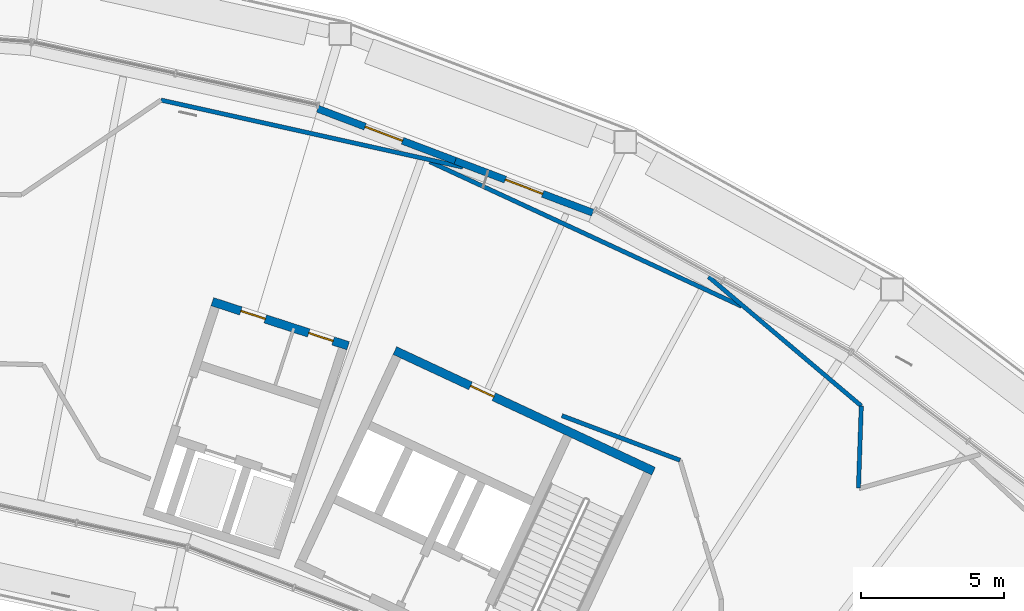
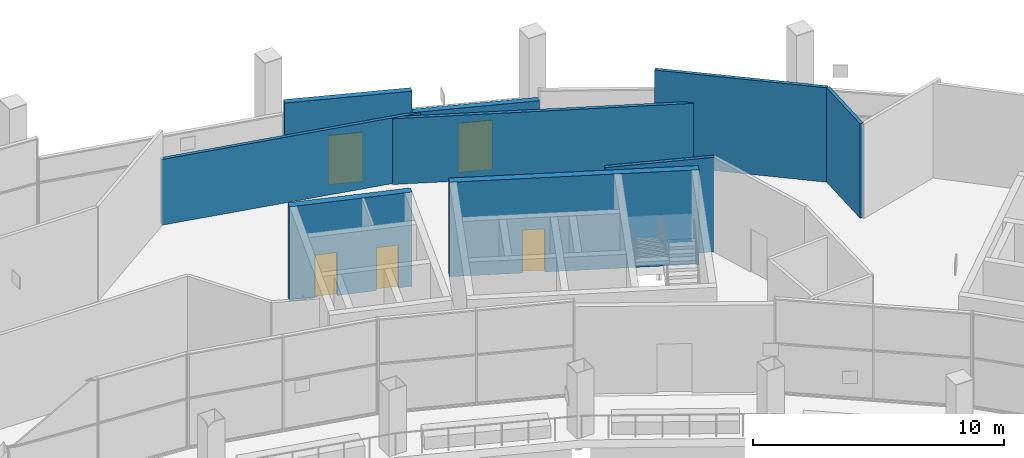
# One storey, part 19 of 29: 9 walls, 5 doors, 5 openings.
"""IFC4 building model written with IfcOpenShell, lengths in metres."""

from ifc_helpers import new_model, si_unit, direction, frame, frame_2d, origin, place, context, subcontext, project, spatial, rectangle, extrude, material, layer, layer_set, type_object, element, fill, save


model = new_model("IFC4")

# Units and contexts
model_context = context("Model", 3, precision=1e-05, world=origin(), true_north=direction((0.0, 1.0)))
body_context = subcontext(model_context, "Body", "Model", "MODEL_VIEW")
ifc_project = project(units=[si_unit("LENGTHUNIT", "METRE"), si_unit("AREAUNIT", "SQUARE_METRE"), si_unit("VOLUMEUNIT", "CUBIC_METRE"), si_unit("PLANEANGLEUNIT", "RADIAN"), si_unit("MASSUNIT", "GRAM", prefix="KILO")], contexts=[model_context])

# Site, building, storey
site_placement = place(None, origin())
site = spatial("IfcSite", under=ifc_project, at=site_placement, CompositionType="ELEMENT")
building_placement = place(site_placement, origin())
building = spatial("IfcBuilding", under=site, at=building_placement, Name="Tuul Gate Civic Tower", CompositionType="ELEMENT")
storey_placement = place(building_placement, frame((0.0, 0.0, 238.89990234375)))
storey = spatial("IfcBuildingStorey", under=building, at=storey_placement, Name="Sky garden level 2", CompositionType="ELEMENT", Elevation=238.89990234375)

# Wall, opening, door
ifc_material_1 = material(Name="Concrete C50/60", Category="concrete")
ifc_layer_1 = layer(ifc_material_1, 0.300048828125)
ifc_layer_set_1 = layer_set([ifc_layer_1], Name="Concrete C50/60")
wall_type_1 = type_object("IfcWallType", Name="Core wall C50/60", PredefinedType="SHEAR", material=ifc_layer_set_1)
wall_1_placement = place(storey_placement, frame((37.993408203125, 0.181884765625, 0.0), z_axis=(0.0, 0.0, 1.0), x_axis=(-0.906310338845, 0.422612789327, 0.0)))
wall_1 = element("IfcWall", 1, at=wall_1_placement, inside=storey, type_object=wall_type_1, Name="Core wall", PredefinedType="SHEAR", context=body_context, shape_type="SweptSolid", body=[
    extrude(rectangle(XDim=9.999755859375, YDim=0.300048828125, at=frame_2d((5.0, 0.0))), origin(), (0.0, 0.0, 1.0), 4.60009765625),
])
opening_1_placement = place(wall_1_placement, frame((6.175048828125, 0.0, 0.0)))
opening_1 = element("IfcOpeningElement", 2, at=opening_1_placement, cuts=wall_1, Name="Opening T-D13", PredefinedType="OPENING", context=body_context, shape_type="SweptSolid", body=[
    extrude(rectangle(XDim=0.89990234375, YDim=2.10009765625, at=frame_2d((0.449951171875, 1.050048828125))), frame((0.0, 0.16015625, 0.0), z_axis=(0.0, -1.0, 0.0), x_axis=(1.0, 0.0, 0.0)), (0.0, 0.0, 1.0), 0.320068359375),
])
ifc_material_2 = material(Name="Timber door leaf", Category="wood")
door_type_1 = type_object("IfcDoorType", Name="Door D09", OperationType="NOTDEFINED", PredefinedType="DOOR", material=ifc_material_2)
door_1_placement = place(opening_1_placement, origin())
door_1 = element("IfcDoor", 3, at=door_1_placement, inside=storey, type_object=door_type_1, Name="Door T-D13", OperationType="SINGLE_SWING_LEFT", OverallHeight=2.10009765625, OverallWidth=0.89990234375, PredefinedType="DOOR", context=body_context, shape_type="SweptSolid", body=[
    extrude(rectangle(XDim=0.89990234375, YDim=2.10009765625, at=frame_2d((0.449951171875, 1.050048828125))), frame((0.0, 0.02490234375, 0.0), z_axis=(0.0, -1.0, 0.0), x_axis=(1.0, 0.0, 0.0)), (0.0, 0.0, 1.0), 0.050048828125),
])
fill(opening_1, door_1)

# Walls
ifc_material_3 = material(Name="Gypsum board partition")
ifc_layer_2 = layer(ifc_material_3, 0.14990234375)
ifc_layer_set_2 = layer_set([ifc_layer_2], Name="Gypsum board partition")
wall_type_2 = type_object("IfcWallType", Name="Corridor wall P150", PredefinedType="PARTITIONING", material=ifc_layer_set_2)
wall_2_placement = place(storey_placement, frame((45.172119140625, -0.40478515625, 0.0), z_axis=(0.0, 0.0, 1.0), x_axis=(0.034371662155, 0.999409119851, 0.0)))
element("IfcWall", 4, at=wall_2_placement, inside=storey, type_object=wall_type_2, Name="p015", PredefinedType="PARTITIONING", context=body_context, shape_type="SweptSolid", body=[
    extrude(rectangle(XDim=2.876708984375, YDim=0.14990234375, at=frame_2d((1.4384765625, 0.0))), origin(), (0.0, 0.0, 1.0), 4.60009765625),
])
wall_3_placement = place(storey_placement, frame((39.919921875, 6.992919921875, 0.0), z_axis=(0.0, 0.0, 1.0), x_axis=(0.763784019205, -0.645471898696, 0.0)))
element("IfcWall", 5, at=wall_3_placement, inside=storey, type_object=wall_type_2, Name="p016", PredefinedType="PARTITIONING", context=body_context, shape_type="SweptSolid", body=[
    extrude(rectangle(XDim=7.005615234375, YDim=0.14990234375, at=frame_2d((3.5029296875, 0.0))), origin(), (0.0, 0.0, 1.0), 4.60009765625),
])
wall_4_placement = place(storey_placement, frame((34.78369140625, 2.127197265625, 0.0), z_axis=(0.0, 0.0, 1.0), x_axis=(0.935610320225, -0.353034458216, 0.0)))
element("IfcWall", 6, at=wall_4_placement, inside=storey, type_object=wall_type_2, Name="p055", PredefinedType="PARTITIONING", context=body_context, shape_type="SweptSolid", body=[
    extrude(rectangle(XDim=4.42236328125, YDim=0.14990234375, at=frame_2d((2.211181640625, 0.0))), origin(), (0.0, 0.0, 1.0), 4.60009765625),
])
ifc_material_4 = material(Name="Gypsum board partition")
ifc_layer_3 = layer(ifc_material_4, 0.14990234375)
ifc_layer_set_3 = layer_set([ifc_layer_3], Name="Gypsum board partition")
wall_type_3 = type_object("IfcWallType", Name="Corridor wall P150 3200 HIGH", PredefinedType="PARTITIONING", material=ifc_layer_set_3)
wall_5_placement = place(storey_placement, frame((30.153564453125, 11.025390625, 0.0), z_axis=(0.0, 0.0, 1.0), x_axis=(0.907252132557, -0.420587170477, 0.0)))
element("IfcWall", 7, at=wall_5_placement, inside=storey, type_object=wall_type_3, Name="p017", PredefinedType="PARTITIONING", context=body_context, shape_type="SweptSolid", body=[
    extrude(rectangle(XDim=12.044921875, YDim=0.14990234375, at=frame_2d((6.0224609375, 0.0))), origin(), (0.0, 0.0, 1.0), 3.2001953125),
])
wall_6_placement = place(storey_placement, frame((20.738037109375, 13.18408203125, 0.0), z_axis=(0.0, 0.0, 1.0), x_axis=(0.976176455968, -0.216978171286, 0.0)))
element("IfcWall", 8, at=wall_6_placement, inside=storey, type_object=wall_type_3, Name="p018", PredefinedType="PARTITIONING", context=body_context, shape_type="SweptSolid", body=[
    extrude(rectangle(XDim=10.83544921875, YDim=0.14990234375, at=frame_2d((5.417724609375, 0.0))), origin(), (0.0, 0.0, 1.0), 3.2001953125),
])

# Wall, opening, door
ifc_material_5 = material(Name="Precast concrete C40/50", Category="concrete")
ifc_layer_4 = layer(ifc_material_5, 0.25)
ifc_layer_set_4 = layer_set([ifc_layer_4], Name="Precast concrete C40/50")
wall_type_4 = type_object("IfcWallType", Name="External wall", PredefinedType="STANDARD", material=ifc_layer_set_4)
wall_7_placement = place(storey_placement, frame((31.04638671875, 11.05859375, 0.0), z_axis=(0.0, 0.0, 1.0), x_axis=(-0.935373157171, 0.353662348637, 0.0)))
wall_7 = element("IfcWall", 9, at=wall_7_placement, inside=storey, type_object=wall_type_4, Name="External wall", PredefinedType="STANDARD", context=body_context, shape_type="SweptSolid", body=[
    extrude(rectangle(XDim=5.150390625, YDim=0.25, at=frame_2d((2.5751953125, 0.0))), origin(), (0.0, 0.0, 1.0), 4.25),
])
opening_2_placement = place(wall_7_placement, frame((1.97509765625, 0.0, 0.0)))
opening_2 = element("IfcOpeningElement", 10, at=opening_2_placement, cuts=wall_7, Name="Opening TD", PredefinedType="OPENING", context=body_context, shape_type="SweptSolid", body=[
    extrude(rectangle(XDim=1.39990234375, YDim=2.39990234375, at=frame_2d((0.699951171875, 1.199951171875))), frame((0.0, 0.135009765625, 0.0), z_axis=(0.0, -1.0, 0.0), x_axis=(1.0, 0.0, 0.0)), (0.0, 0.0, 1.0), 0.27001953125),
])
ifc_material_6 = material(Name="Glazed aluminium", Category="aluminium")
door_type_2 = type_object("IfcDoorType", Name="Terrace door", OperationType="DOUBLE_DOOR_SINGLE_SWING", PredefinedType="DOOR", material=ifc_material_6)
door_2_placement = place(opening_2_placement, frame((1.39990234375, 0.0, 0.0), z_axis=(0.0, 0.0, 1.0), x_axis=(-1.0, 0.0, 0.0)))
door_2 = element("IfcDoor", 11, at=door_2_placement, inside=storey, type_object=door_type_2, Name="Terrace door", OperationType="DOUBLE_DOOR_SINGLE_SWING", OverallHeight=2.39990234375, OverallWidth=1.39990234375, PredefinedType="DOOR", context=body_context, shape_type="SweptSolid", body=[
    extrude(rectangle(XDim=1.39990234375, YDim=2.39990234375, at=frame_2d((0.699951171875, 1.199951171875))), frame((0.0, 0.02490234375, 0.0), z_axis=(0.0, -1.0, 0.0), x_axis=(1.0, 0.0, 0.0)), (0.0, 0.0, 1.0), 0.050048828125),
])
fill(opening_2, door_2)

ifc_material_7 = material(Name="Precast concrete C40/50", Category="concrete")
ifc_layer_5 = layer(ifc_material_7, 0.25)
ifc_layer_set_5 = layer_set([ifc_layer_5], Name="Precast concrete C40/50")
wall_type_5 = type_object("IfcWallType", Name="External wall 3200 HIGH", PredefinedType="STANDARD", material=ifc_layer_set_5)
wall_8_placement = place(storey_placement, frame((35.86376953125, 9.237060546875, 0.0), z_axis=(0.0, 0.0, 1.0), x_axis=(-0.935367227941, 0.353678029985, 0.0)))
wall_8 = element("IfcWall", 12, at=wall_8_placement, inside=storey, type_object=wall_type_5, Name="External wall", PredefinedType="STANDARD", context=body_context, shape_type="SweptSolid", body=[
    extrude(rectangle(XDim=5.150146484375, YDim=0.25, at=frame_2d((2.5751953125, 0.0))), origin(), (0.0, 0.0, 1.0), 3.2001953125),
])
opening_3_placement = place(wall_8_placement, frame((1.875244140625, 0.0, 0.0)))
opening_3 = element("IfcOpeningElement", 13, at=opening_3_placement, cuts=wall_8, Name="Opening TD", PredefinedType="OPENING", context=body_context, shape_type="SweptSolid", body=[
    extrude(rectangle(XDim=1.39990234375, YDim=2.39990234375, at=frame_2d((0.699951171875, 1.199951171875))), frame((0.0, 0.135009765625, 0.0), z_axis=(0.0, -1.0, 0.0), x_axis=(1.0, 0.0, 0.0)), (0.0, 0.0, 1.0), 0.27001953125),
])
door_3_placement = place(opening_3_placement, frame((1.39990234375, 0.0, 0.0), z_axis=(0.0, 0.0, 1.0), x_axis=(-1.0, 0.0, 0.0)))
door_3 = element("IfcDoor", 14, at=door_3_placement, inside=storey, type_object=door_type_2, Name="Terrace door", OperationType="DOUBLE_DOOR_SINGLE_SWING", OverallHeight=2.39990234375, OverallWidth=1.39990234375, PredefinedType="DOOR", context=body_context, shape_type="SweptSolid", body=[
    extrude(rectangle(XDim=1.39990234375, YDim=2.39990234375, at=frame_2d((0.699951171875, 1.199951171875))), frame((0.0, 0.02490234375, 0.0), z_axis=(0.0, -1.0, 0.0), x_axis=(1.0, 0.0, 0.0)), (0.0, 0.0, 1.0), 0.050048828125),
])
fill(opening_3, door_3)

# Wall, openings, doors
ifc_material_8 = material(Name="Concrete C40/50", Category="concrete")
ifc_layer_6 = layer(ifc_material_8, 0.300048828125)
ifc_layer_set_6 = layer_set([ifc_layer_6], Name="Concrete C40/50")
wall_type_6 = type_object("IfcWallType", Name="Lift shaft wall C40/50", PredefinedType="STANDARD", material=ifc_layer_set_6)
wall_9_placement = place(storey_placement, frame((27.29150390625, 4.57666015625, 0.0), z_axis=(0.0, 0.0, 1.0), x_axis=(-0.951067792613, 0.308982287281, 0.0)))
wall_9 = element("IfcWall", 15, at=wall_9_placement, inside=storey, type_object=wall_type_6, Name="Shaft wall", PredefinedType="STANDARD", context=body_context, shape_type="SweptSolid", body=[
    extrude(rectangle(XDim=5.0, YDim=0.300048828125, at=frame_2d((2.5, 0.0))), origin(), (0.0, 0.0, 1.0), 4.60009765625),
])
opening_4_placement = place(wall_9_placement, frame((0.550048828125, 0.0, 0.0)))
opening_4 = element("IfcOpeningElement", 16, at=opening_4_placement, cuts=wall_9, Name="Opening T-D16", PredefinedType="OPENING", context=body_context, shape_type="SweptSolid", body=[
    extrude(rectangle(XDim=0.89990234375, YDim=2.10009765625, at=frame_2d((0.449951171875, 1.050048828125))), frame((0.0, 0.16015625, 0.0), z_axis=(0.0, -1.0, 0.0), x_axis=(1.0, 0.0, 0.0)), (0.0, 0.0, 1.0), 0.320068359375),
])
opening_5_placement = place(wall_9_placement, frame((3.050048828125, 0.0, 0.0)))
opening_5 = element("IfcOpeningElement", 17, at=opening_5_placement, cuts=wall_9, Name="Opening T-D17", PredefinedType="OPENING", context=body_context, shape_type="SweptSolid", body=[
    extrude(rectangle(XDim=0.89990234375, YDim=2.10009765625, at=frame_2d((0.449951171875, 1.050048828125))), frame((0.0, 0.16015625, 0.0), z_axis=(0.0, -1.0, 0.0), x_axis=(1.0, 0.0, 0.0)), (0.0, 0.0, 1.0), 0.320068359375),
])
door_4_placement = place(opening_4_placement, origin())
door_4 = element("IfcDoor", 18, at=door_4_placement, inside=storey, type_object=door_type_1, Name="Door T-D16", OperationType="SINGLE_SWING_LEFT", OverallHeight=2.10009765625, OverallWidth=0.89990234375, PredefinedType="DOOR", context=body_context, shape_type="SweptSolid", body=[
    extrude(rectangle(XDim=0.89990234375, YDim=2.10009765625, at=frame_2d((0.449951171875, 1.050048828125))), frame((0.0, 0.02490234375, 0.0), z_axis=(0.0, -1.0, 0.0), x_axis=(1.0, 0.0, 0.0)), (0.0, 0.0, 1.0), 0.050048828125),
])
fill(opening_4, door_4)
door_5_placement = place(opening_5_placement, origin())
door_5 = element("IfcDoor", 19, at=door_5_placement, inside=storey, type_object=door_type_1, Name="Door T-D17", OperationType="SINGLE_SWING_RIGHT", OverallHeight=2.10009765625, OverallWidth=0.89990234375, PredefinedType="DOOR", context=body_context, shape_type="SweptSolid", body=[
    extrude(rectangle(XDim=0.89990234375, YDim=2.10009765625, at=frame_2d((0.449951171875, 1.050048828125))), frame((0.0, 0.02490234375, 0.0), z_axis=(0.0, -1.0, 0.0), x_axis=(1.0, 0.0, 0.0)), (0.0, 0.0, 1.0), 0.050048828125),
])
fill(opening_5, door_5)

save(model, "model.ifc")
